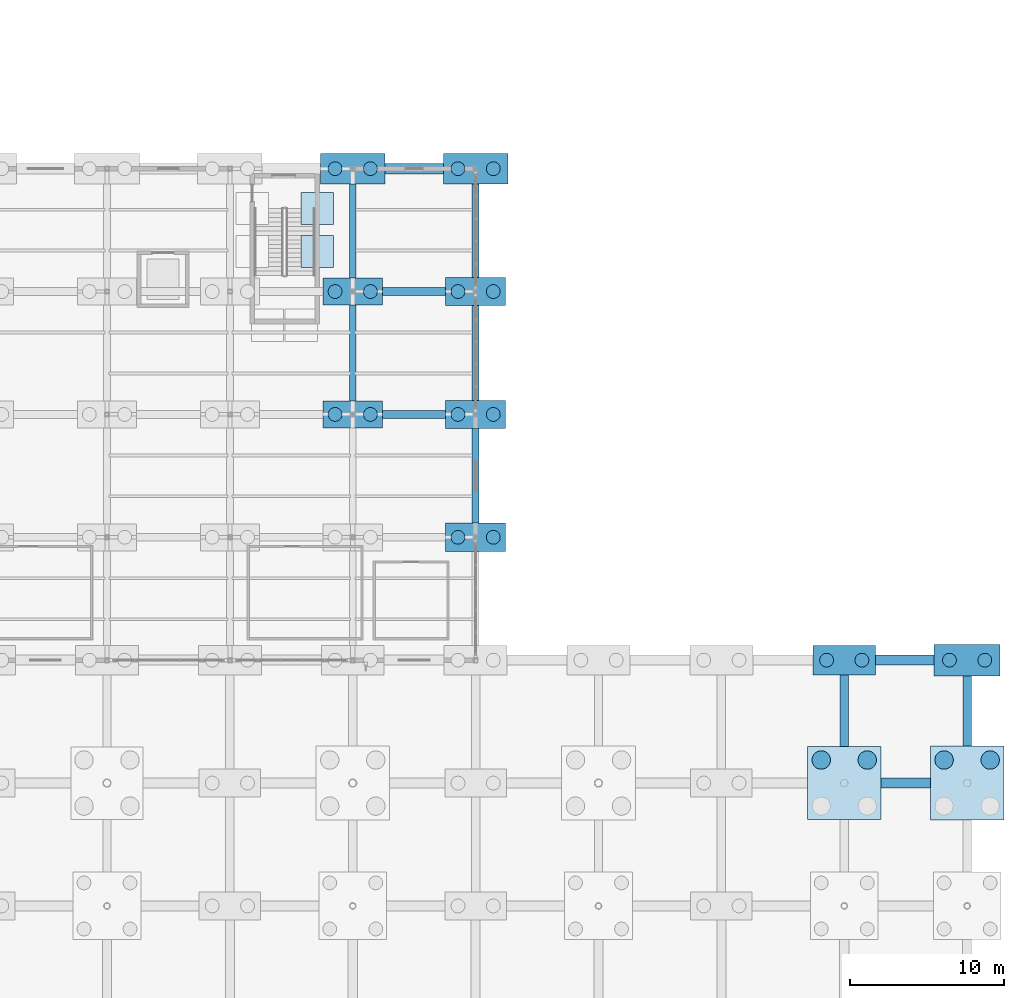
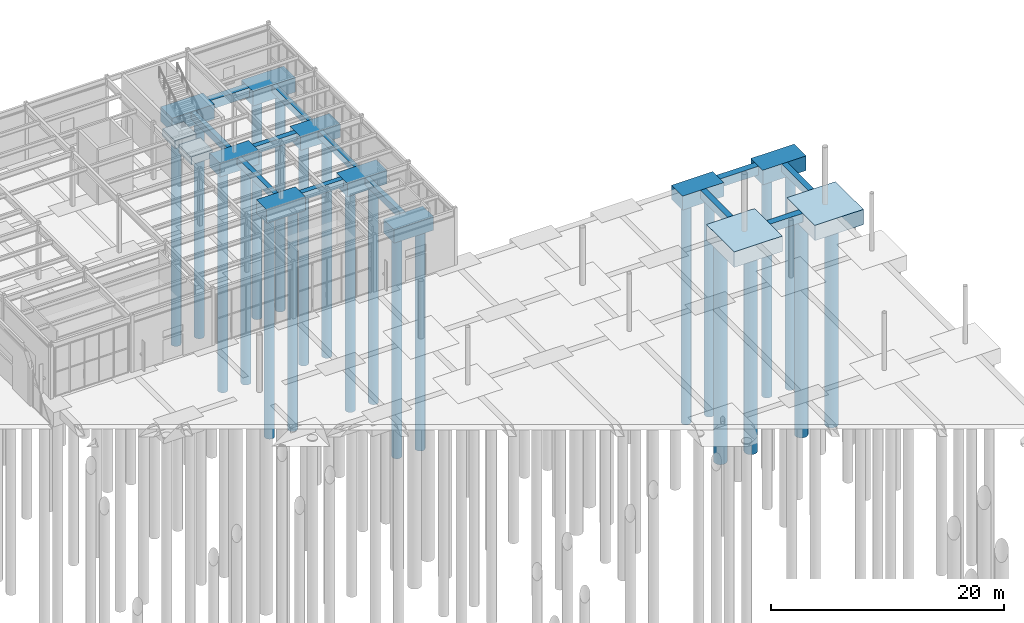
# One storey, part 4 of 82: 25 footings, 22 piles.
"""IFC4 building model written with IfcOpenShell, lengths in metres."""

from ifc_helpers import new_model, si_unit, direction, frame, origin, origin_2d, place, context, subcontext, project, spatial, rectangle, circle, extrude, material, material_profile, profile_set, type_object, element, save


model = new_model("IFC4")

# Units and contexts
model_context = context("Model", 3, precision=1e-05, world=origin(), true_north=direction((0.0, 1.0)))
body_context = subcontext(model_context, "Body", "Model", "MODEL_VIEW")
ifc_project = project(units=[si_unit("LENGTHUNIT", "METRE"), si_unit("AREAUNIT", "SQUARE_METRE"), si_unit("VOLUMEUNIT", "CUBIC_METRE"), si_unit("PLANEANGLEUNIT", "RADIAN"), si_unit("MASSUNIT", "GRAM", prefix="KILO")], contexts=[model_context])

# Site, building, storey
site_placement = place(None, origin())
site = spatial("IfcSite", under=ifc_project, at=site_placement, CompositionType="ELEMENT")
building_placement = place(site_placement, origin())
building = spatial("IfcBuilding", under=site, at=building_placement, Name="Drelvath Fold Interchange", CompositionType="ELEMENT")
storey_placement = place(building_placement, origin())
storey = spatial("IfcBuildingStorey", under=building, at=storey_placement, Name="L00", CompositionType="ELEMENT", Elevation=0.0)

# Piles
ifc_material_1 = material(Name="Concrete f'c 55 MPa (8000 psi)", Category="concrete")
ifc_material_profile_1 = material_profile(ifc_material_1, circle(Radius=0.60009765625, at=origin_2d()), Name="CAISSON D1200")
ifc_profile_set_1 = profile_set([ifc_material_profile_1], Name="Concrete f'c 55 MPa (8000 psi)")
pile_type_1 = type_object("IfcPileType", Name="CA-D1200", PredefinedType="BORED", material=ifc_profile_set_1)
for number, where, z_axis, x_axis, name in (
    (1, (167.5, 68.5, -1.52001953125), (0.0, 0.0, -1.0), (1.0, 0.0, 0.0), "L00 rock-socketed caisson PL-L00-330"),
    (2, (164.5, 68.5, -1.52001953125), (0.0, 0.0, -1.0), (1.0, 0.0, 0.0), "L00 rock-socketed caisson PL-L00-331"),
):
    element("IfcPile", number, at=place(storey_placement, frame(where, z_axis=z_axis, x_axis=x_axis)), inside=storey, type_object=pile_type_1, Name=name, PredefinedType="BORED", context=body_context, shape_type="SweptSolid", body=[
        extrude(circle(Radius=0.60009765625, at=origin_2d()), origin(), (0.0, 0.0, 1.0), 22.97998046875),
    ])
for number, where, z_axis, x_axis, name in (
    (3, (175.5, 68.5, -1.5), (0.0, 0.0, -1.0), (1.0, 0.0, 0.0), "L00 rock-socketed caisson PL-L00-348"),
    (4, (172.5, 68.5, -1.5), (0.0, 0.0, -1.0), (1.0, 0.0, 0.0), "L00 rock-socketed caisson PL-L00-349"),
):
    element("IfcPile", number, at=place(storey_placement, frame(where, z_axis=z_axis, x_axis=x_axis)), inside=storey, type_object=pile_type_1, Name=name, PredefinedType="BORED", context=body_context, shape_type="SweptSolid", body=[
        extrude(circle(Radius=0.60009765625, at=origin_2d()), origin(), (0.0, 0.0, 1.0), 23.0),
    ])
ifc_material_profile_2 = material_profile(ifc_material_1, circle(Radius=0.449951171875, at=origin_2d()), Name="CAISSON D900")
ifc_profile_set_2 = profile_set([ifc_material_profile_2], Name="Concrete f'c 55 MPa (8000 psi)")
pile_type_2 = type_object("IfcPileType", Name="CA-D900", PredefinedType="BORED", material=ifc_profile_set_2)
for number, where, z_axis, x_axis, name in (
    (5, (132.85009765625, 91.0, -1.340087890625), (0.0, 0.0, -1.0), (1.0, 0.0, 0.0), "L00 rock-socketed caisson PL-L00-264"),
    (6, (135.14990234375, 91.0, -1.340087890625), (0.0, 0.0, -1.0), (1.0, 0.0, 0.0), "L00 rock-socketed caisson PL-L00-265"),
    (7, (132.85009765625, 99.0, -1.340087890625), (0.0, 0.0, -1.0), (1.0, 0.0, 0.0), "L00 rock-socketed caisson PL-L00-266"),
    (8, (135.14990234375, 99.0, -1.340087890625), (0.0, 0.0, -1.0), (1.0, 0.0, 0.0), "L00 rock-socketed caisson PL-L00-267"),
):
    element("IfcPile", number, at=place(storey_placement, frame(where, z_axis=z_axis, x_axis=x_axis)), inside=storey, type_object=pile_type_2, Name=name, PredefinedType="BORED", context=body_context, shape_type="SweptSolid", body=[
        extrude(circle(Radius=0.449951171875, at=origin_2d()), origin(), (0.0, 0.0, 1.0), 23.159912109375),
    ])
for number, where, z_axis, x_axis, name in (
    (9, (132.85009765625, 107.0, -1.419921875), (0.0, 0.0, -1.0), (1.0, 0.0, 0.0), "L00 rock-socketed caisson PL-L00-268"),
    (10, (135.14990234375, 107.0, -1.419921875), (0.0, 0.0, -1.0), (1.0, 0.0, 0.0), "L00 rock-socketed caisson PL-L00-269"),
):
    element("IfcPile", number, at=place(storey_placement, frame(where, z_axis=z_axis, x_axis=x_axis)), inside=storey, type_object=pile_type_2, Name=name, PredefinedType="BORED", context=body_context, shape_type="SweptSolid", body=[
        extrude(circle(Radius=0.449951171875, at=origin_2d()), origin(), (0.0, 0.0, 1.0), 23.080078125),
    ])
for number, where, z_axis, x_axis, name in (
    (11, (140.85009765625, 83.0, -1.320068359375), (0.0, 0.0, -1.0), (1.0, 0.0, 0.0), "L00 rock-socketed caisson PL-L00-280"),
    (12, (143.14990234375, 83.0, -1.320068359375), (0.0, 0.0, -1.0), (1.0, 0.0, 0.0), "L00 rock-socketed caisson PL-L00-281"),
    (13, (140.85009765625, 91.0, -1.320068359375), (0.0, 0.0, -1.0), (1.0, 0.0, 0.0), "L00 rock-socketed caisson PL-L00-282"),
    (14, (143.14990234375, 91.0, -1.320068359375), (0.0, 0.0, -1.0), (1.0, 0.0, 0.0), "L00 rock-socketed caisson PL-L00-283"),
    (15, (140.85009765625, 99.0, -1.320068359375), (0.0, 0.0, -1.0), (1.0, 0.0, 0.0), "L00 rock-socketed caisson PL-L00-284"),
    (16, (143.14990234375, 99.0, -1.320068359375), (0.0, 0.0, -1.0), (1.0, 0.0, 0.0), "L00 rock-socketed caisson PL-L00-285"),
):
    element("IfcPile", number, at=place(storey_placement, frame(where, z_axis=z_axis, x_axis=x_axis)), inside=storey, type_object=pile_type_2, Name=name, PredefinedType="BORED", context=body_context, shape_type="SweptSolid", body=[
        extrude(circle(Radius=0.449951171875, at=origin_2d()), origin(), (0.0, 0.0, 1.0), 23.179931640625),
    ])
for number, where, z_axis, x_axis, name in (
    (17, (140.85009765625, 107.0, -1.419921875), (0.0, 0.0, -1.0), (1.0, 0.0, 0.0), "L00 rock-socketed caisson PL-L00-286"),
    (18, (143.14990234375, 107.0, -1.419921875), (0.0, 0.0, -1.0), (1.0, 0.0, 0.0), "L00 rock-socketed caisson PL-L00-287"),
):
    element("IfcPile", number, at=place(storey_placement, frame(where, z_axis=z_axis, x_axis=x_axis)), inside=storey, type_object=pile_type_2, Name=name, PredefinedType="BORED", context=body_context, shape_type="SweptSolid", body=[
        extrude(circle(Radius=0.449951171875, at=origin_2d()), origin(), (0.0, 0.0, 1.0), 23.080078125),
    ])
for number, where, z_axis, x_axis, name in (
    (19, (164.85009765625, 75.0, -1.360107421875), (0.0, 0.0, -1.0), (1.0, 0.0, 0.0), "L00 rock-socketed caisson PL-L00-332"),
    (20, (167.14990234375, 75.0, -1.360107421875), (0.0, 0.0, -1.0), (1.0, 0.0, 0.0), "L00 rock-socketed caisson PL-L00-333"),
):
    element("IfcPile", number, at=place(storey_placement, frame(where, z_axis=z_axis, x_axis=x_axis)), inside=storey, type_object=pile_type_2, Name=name, PredefinedType="BORED", context=body_context, shape_type="SweptSolid", body=[
        extrude(circle(Radius=0.449951171875, at=origin_2d()), origin(), (0.0, 0.0, 1.0), 23.139892578125),
    ])
for number, where, z_axis, x_axis, name in (
    (21, (172.85009765625, 75.0, -1.43994140625), (0.0, 0.0, -1.0), (1.0, 0.0, 0.0), "L00 rock-socketed caisson PL-L00-350"),
    (22, (175.14990234375, 75.0, -1.43994140625), (0.0, 0.0, -1.0), (1.0, 0.0, 0.0), "L00 rock-socketed caisson PL-L00-351"),
):
    element("IfcPile", number, at=place(storey_placement, frame(where, z_axis=z_axis, x_axis=x_axis)), inside=storey, type_object=pile_type_2, Name=name, PredefinedType="BORED", context=body_context, shape_type="SweptSolid", body=[
        extrude(circle(Radius=0.449951171875, at=origin_2d()), origin(), (0.0, 0.0, 1.0), 23.06005859375),
    ])

# Footings
ifc_material_2 = material(Name="Concrete f'c 45 MPa (6500 psi)", Category="concrete")
footing_type_1 = type_object("IfcFootingType", Name="GB-450x740", PredefinedType="FOOTING_BEAM", material=ifc_material_2)
footing_1_placement = place(storey_placement, frame((134.0, 95.0, -0.740234375), z_axis=(0.0, 0.0, 1.0), x_axis=(1.0, 0.0, 0.0)))
element("IfcFooting", 23, at=footing_1_placement, inside=storey, type_object=footing_type_1, Name="Continuous grade beam FT-GBY-104", PredefinedType="FOOTING_BEAM", context=body_context, shape_type="SweptSolid", body=[
    extrude(rectangle(XDim=0.449951171875, YDim=6.25, at=origin_2d()), origin(), (0.0, 0.0, 1.0), 0.739990234375),
])
footing_2_placement = place(storey_placement, frame((134.0, 102.93798828125, -0.740234375), z_axis=(0.0, 0.0, 1.0), x_axis=(1.0, 0.0, 0.0)))
element("IfcFooting", 24, at=footing_2_placement, inside=storey, type_object=footing_type_1, Name="Continuous grade beam FT-GBY-105", PredefinedType="FOOTING_BEAM", context=body_context, shape_type="SweptSolid", body=[
    extrude(rectangle(XDim=0.449951171875, YDim=6.125, at=origin_2d()), origin(), (0.0, 0.0, 1.0), 0.739990234375),
])
for number, where, z_axis, x_axis, name in (
    (25, (142.0, 87.0, -0.740234375), (0.0, 0.0, 1.0), (1.0, 0.0, 0.0), "Continuous grade beam FT-GBY-111"),
    (26, (142.0, 95.0, -0.740234375), (0.0, 0.0, 1.0), (1.0, 0.0, 0.0), "Continuous grade beam FT-GBY-112"),
):
    element("IfcFooting", number, at=place(storey_placement, frame(where, z_axis=z_axis, x_axis=x_axis)), inside=storey, type_object=footing_type_1, Name=name, PredefinedType="FOOTING_BEAM", context=body_context, shape_type="SweptSolid", body=[
        extrude(rectangle(XDim=0.449951171875, YDim=6.159912109375, at=origin_2d()), origin(), (0.0, 0.0, 1.0), 0.739990234375),
    ])
footing_3_placement = place(storey_placement, frame((142.0, 102.9599609375, -0.740234375), z_axis=(0.0, 0.0, 1.0), x_axis=(1.0, 0.0, 0.0)))
element("IfcFooting", 27, at=footing_3_placement, inside=storey, type_object=footing_type_1, Name="Continuous grade beam FT-GBY-113", PredefinedType="FOOTING_BEAM", context=body_context, shape_type="SweptSolid", body=[
    extrude(rectangle(XDim=0.449951171875, YDim=6.080078125, at=origin_2d()), origin(), (0.0, 0.0, 1.0), 0.739990234375),
])
footing_type_2 = type_object("IfcFootingType", Name="GB-500x780", PredefinedType="FOOTING_BEAM", material=ifc_material_2)
for number, where, z_axis, x_axis, name in (
    (28, (137.98291015625, 91.0, -0.77978515625), (0.0, 0.0, 1.0), (1.0, 0.0, 0.0), "Continuous grade beam FT-GBX-055"),
    (29, (137.98291015625, 99.0, -0.77978515625), (0.0, 0.0, 1.0), (1.0, 0.0, 0.0), "Continuous grade beam FT-GBX-060"),
):
    element("IfcFooting", number, at=place(storey_placement, frame(where, z_axis=z_axis, x_axis=x_axis)), inside=storey, type_object=footing_type_2, Name=name, PredefinedType="FOOTING_BEAM", context=body_context, shape_type="SweptSolid", body=[
        extrude(rectangle(XDim=4.114990234375, YDim=0.5, at=origin_2d()), origin(), (0.0, 0.0, 1.0), 0.780029296875),
    ])
footing_type_3 = type_object("IfcFootingType", Name="GB-550x820", PredefinedType="FOOTING_BEAM", material=ifc_material_2)
footing_4_placement = place(storey_placement, frame((166.0, 71.715087890625, -0.81982421875), z_axis=(0.0, 0.0, 1.0), x_axis=(1.0, 0.0, 0.0)))
element("IfcFooting", 30, at=footing_4_placement, inside=storey, type_object=footing_type_3, Name="Continuous grade beam FT-GBY-125", PredefinedType="FOOTING_BEAM", context=body_context, shape_type="SweptSolid", body=[
    extrude(rectangle(XDim=0.550048828125, YDim=4.669921875, at=origin_2d()), origin(), (0.0, 0.0, 1.0), 0.820068359375),
])
footing_5_placement = place(storey_placement, frame((174.0, 71.68798828125, -0.81982421875), z_axis=(0.0, 0.0, 1.0), x_axis=(1.0, 0.0, 0.0)))
element("IfcFooting", 31, at=footing_5_placement, inside=storey, type_object=footing_type_3, Name="Continuous grade beam FT-GBY-129", PredefinedType="FOOTING_BEAM", context=body_context, shape_type="SweptSolid", body=[
    extrude(rectangle(XDim=0.550048828125, YDim=4.574951171875, at=origin_2d()), origin(), (0.0, 0.0, 1.0), 0.820068359375),
])
footing_type_4 = type_object("IfcFootingType", Name="GB-650x900", PredefinedType="FOOTING_BEAM", material=ifc_material_2)
footing_6_placement = place(storey_placement, frame((169.989990234375, 67.0, -0.89990234375), z_axis=(0.0, 0.0, 1.0), x_axis=(1.0, 0.0, 0.0)))
element("IfcFooting", 32, at=footing_6_placement, inside=storey, type_object=footing_type_4, Name="Continuous grade beam FT-GBX-036", PredefinedType="FOOTING_BEAM", context=body_context, shape_type="SweptSolid", body=[
    extrude(rectangle(XDim=3.219970703125, YDim=0.64990234375, at=origin_2d()), origin(), (0.0, 0.0, 1.0), 0.89990234375),
])
footing_7_placement = place(storey_placement, frame((169.949951171875, 75.0, -0.89990234375), z_axis=(0.0, 0.0, 1.0), x_axis=(1.0, 0.0, 0.0)))
element("IfcFooting", 33, at=footing_7_placement, inside=storey, type_object=footing_type_4, Name="Continuous grade beam FT-GBX-045", PredefinedType="FOOTING_BEAM", context=body_context, shape_type="SweptSolid", body=[
    extrude(rectangle(XDim=3.800048828125, YDim=0.64990234375, at=origin_2d()), origin(), (0.0, 0.0, 1.0), 0.89990234375),
])
footing_type_5 = type_object("IfcFootingType", Name="GB-700x950", PredefinedType="FOOTING_BEAM", material=ifc_material_2)
footing_8_placement = place(storey_placement, frame((138.0, 107.0, -0.9501953125), z_axis=(0.0, 0.0, 1.0), x_axis=(1.0, 0.0, 0.0)))
element("IfcFooting", 34, at=footing_8_placement, inside=storey, type_object=footing_type_5, Name="Continuous grade beam FT-GBX-065", PredefinedType="FOOTING_BEAM", context=body_context, shape_type="SweptSolid", body=[
    extrude(rectangle(XDim=3.800048828125, YDim=0.699951171875, at=origin_2d()), origin(), (0.0, 0.0, 1.0), 0.949951171875),
])
footing_type_6 = type_object("IfcFootingType", Name="PC-02", PredefinedType="PILE_CAP", material=ifc_material_2)
footing_9_placement = place(storey_placement, frame((174.0, 67.0, -1.60009765625), z_axis=(0.0, 0.0, 1.0), x_axis=(1.0, 0.0, 0.0)))
element("IfcFooting", 35, at=footing_9_placement, inside=storey, type_object=footing_type_6, Name="Pile cap FT-CAP-073 (PC-02)", PredefinedType="PILE_CAP", context=body_context, shape_type="SweptSolid", body=[
    extrude(rectangle(XDim=4.800048828125, YDim=4.800048828125, at=origin_2d()), origin(), (0.0, 0.0, 1.0), 1.60009765625),
])
footing_type_7 = type_object("IfcFootingType", Name="PC-03", PredefinedType="PILE_CAP", material=ifc_material_2)
for number, where, z_axis, x_axis, name in (
    (36, (134.0, 107.0, -1.52001953125), (0.0, 0.0, 1.0), (1.0, 0.0, 0.0), "Pile cap FT-CAP-045 (PC-03)"),
    (37, (142.0, 107.0, -1.52001953125), (0.0, 0.0, 1.0), (1.0, 0.0, 0.0), "Pile cap FT-CAP-054 (PC-03)"),
):
    element("IfcFooting", number, at=place(storey_placement, frame(where, z_axis=z_axis, x_axis=x_axis)), inside=storey, type_object=footing_type_7, Name=name, PredefinedType="PILE_CAP", context=body_context, shape_type="SweptSolid", body=[
        extrude(rectangle(XDim=4.199951171875, YDim=2.0, at=origin_2d()), origin(), (0.0, 0.0, 1.0), 1.52001953125),
    ])
footing_type_8 = type_object("IfcFootingType", Name="PC-07", PredefinedType="PILE_CAP", material=ifc_material_2)
for number, where, z_axis, x_axis, name in (
    (38, (134.0, 91.0, -1.43994140625), (0.0, 0.0, 1.0), (1.0, 0.0, 0.0), "Pile cap FT-CAP-043 (PC-07)"),
    (39, (134.0, 99.0, -1.43994140625), (0.0, 0.0, 1.0), (1.0, 0.0, 0.0), "Pile cap FT-CAP-044 (PC-07)"),
):
    element("IfcFooting", number, at=place(storey_placement, frame(where, z_axis=z_axis, x_axis=x_axis)), inside=storey, type_object=footing_type_8, Name=name, PredefinedType="PILE_CAP", context=body_context, shape_type="SweptSolid", body=[
        extrude(rectangle(XDim=3.85009765625, YDim=1.75, at=origin_2d()), origin(), (0.0, 0.0, 1.0), 1.43994140625),
    ])
footing_type_9 = type_object("IfcFootingType", Name="PC-08", PredefinedType="PILE_CAP", material=ifc_material_2)
footing_10_placement = place(storey_placement, frame((166.0, 75.0, -1.4599609375), z_axis=(0.0, 0.0, 1.0), x_axis=(1.0, 0.0, 0.0)))
element("IfcFooting", 40, at=footing_10_placement, inside=storey, type_object=footing_type_9, Name="Pile cap FT-CAP-069 (PC-08)", PredefinedType="PILE_CAP", context=body_context, shape_type="SweptSolid", body=[
    extrude(rectangle(XDim=4.10009765625, YDim=1.89990234375, at=origin_2d()), origin(), (0.0, 0.0, 1.0), 1.4599609375),
])
footing_type_10 = type_object("IfcFootingType", Name="PC-10", PredefinedType="PILE_CAP", material=ifc_material_2)
footing_11_placement = place(storey_placement, frame((174.0, 75.0, -1.5400390625), z_axis=(0.0, 0.0, 1.0), x_axis=(1.0, 0.0, 0.0)))
element("IfcFooting", 41, at=footing_11_placement, inside=storey, type_object=footing_type_10, Name="Pile cap FT-CAP-074 (PC-10)", PredefinedType="PILE_CAP", context=body_context, shape_type="SweptSolid", body=[
    extrude(rectangle(XDim=4.300048828125, YDim=2.050048828125, at=origin_2d()), origin(), (0.0, 0.0, 1.0), 1.5400390625),
])
footing_type_11 = type_object("IfcFootingType", Name="PC-11", PredefinedType="PILE_CAP", material=ifc_material_2)
for number, where, z_axis, x_axis, name in (
    (42, (142.0, 83.0, -1.419921875), (0.0, 0.0, 1.0), (1.0, 0.0, 0.0), "Pile cap FT-CAP-051 (PC-11)"),
    (43, (142.0, 91.0, -1.419921875), (0.0, 0.0, 1.0), (1.0, 0.0, 0.0), "Pile cap FT-CAP-052 (PC-11)"),
    (44, (142.0, 99.0, -1.419921875), (0.0, 0.0, 1.0), (1.0, 0.0, 0.0), "Pile cap FT-CAP-053 (PC-11)"),
):
    element("IfcFooting", number, at=place(storey_placement, frame(where, z_axis=z_axis, x_axis=x_axis)), inside=storey, type_object=footing_type_11, Name=name, PredefinedType="PILE_CAP", context=body_context, shape_type="SweptSolid", body=[
        extrude(rectangle(XDim=3.919921875, YDim=1.840087890625, at=origin_2d()), origin(), (0.0, 0.0, 1.0), 1.419921875),
    ])
footing_type_12 = type_object("IfcFootingType", Name="PC-12", PredefinedType="PILE_CAP", material=ifc_material_2)
footing_12_placement = place(storey_placement, frame((166.0, 67.0, -1.6201171875), z_axis=(0.0, 0.0, 1.0), x_axis=(1.0, 0.0, 0.0)))
element("IfcFooting", 45, at=footing_12_placement, inside=storey, type_object=footing_type_12, Name="Pile cap FT-CAP-068 (PC-12)", PredefinedType="PILE_CAP", context=body_context, shape_type="SweptSolid", body=[
    extrude(rectangle(XDim=4.760009765625, YDim=4.760009765625, at=origin_2d()), origin(), (0.0, 0.0, 1.0), 1.6201171875),
])
footing_type_13 = type_object("IfcFootingType", Name="PF-02", PredefinedType="PAD_FOOTING", material=ifc_material_2)
for number, where, z_axis, x_axis, name in (
    (46, (131.68994140625, 101.60009765625, -1.1298828125), (0.0, 0.0, 1.0), (1.0, 0.0, 0.0), "Core shear wall pad footing FT-PAD-C11"),
    (47, (131.68994140625, 104.39990234375, -1.1298828125), (0.0, 0.0, 1.0), (1.0, 0.0, 0.0), "Core shear wall pad footing FT-PAD-C12"),
):
    element("IfcFooting", number, at=place(storey_placement, frame(where, z_axis=z_axis, x_axis=x_axis)), inside=storey, type_object=footing_type_13, Name=name, PredefinedType="PAD_FOOTING", context=body_context, shape_type="SweptSolid", body=[
        extrude(rectangle(XDim=2.10009765625, YDim=2.10009765625, at=origin_2d()), origin(), (0.0, 0.0, 1.0), 0.840087890625),
    ])

save(model, "model.ifc")
